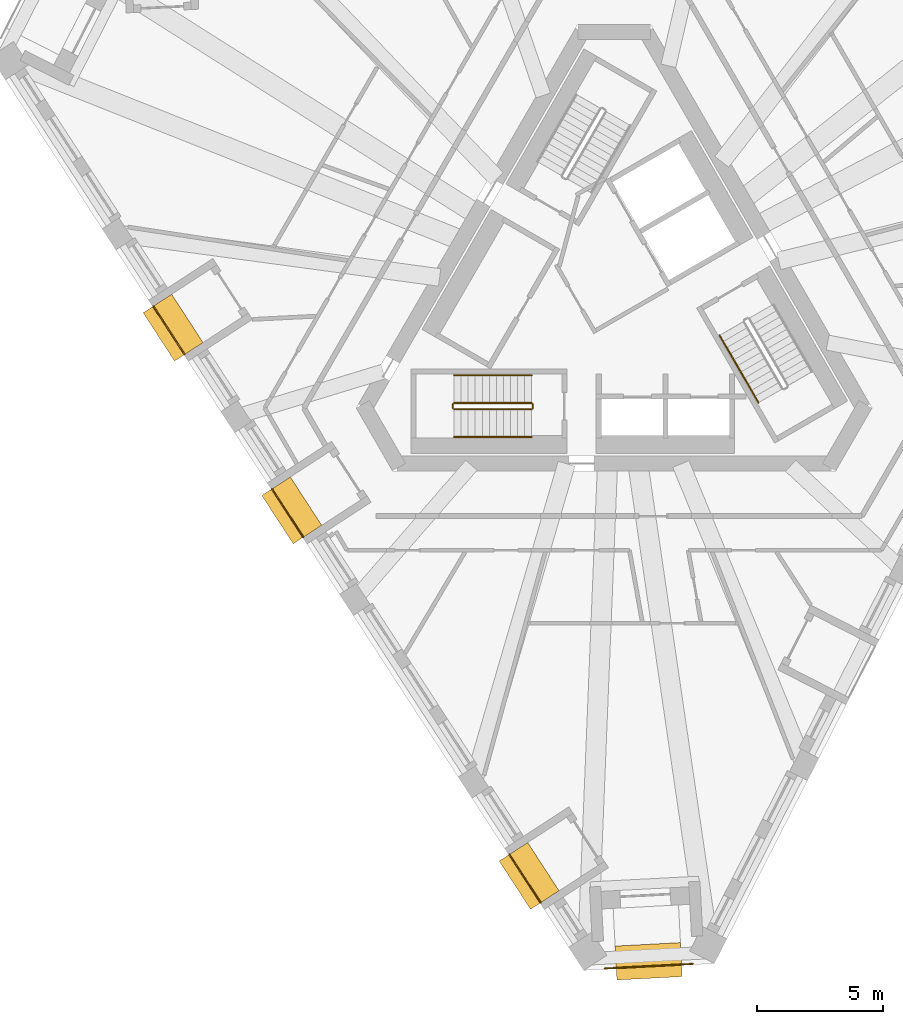
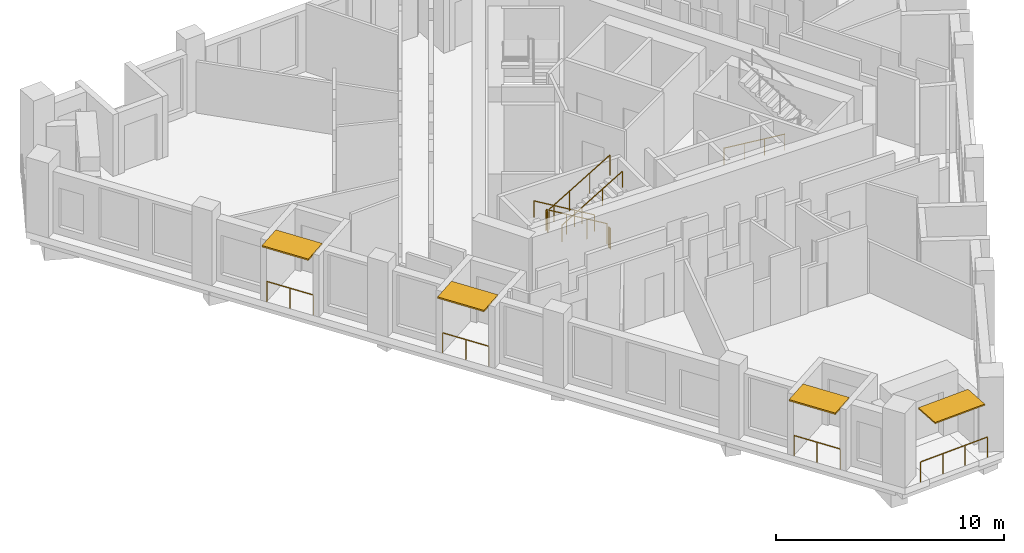
# One storey, part 9 of 12: 11 railings, 4 shading devices.
"""IFC4 building model written with IfcOpenShell, lengths in metres."""

from ifc_helpers import new_model, si_unit, direction, frame, origin, origin_2d, place, context, subcontext, project, spatial, rectangle, circle, extrude, material, layer, layer_set, type_object, element, save


model = new_model("IFC4")

# Units and contexts
model_context = context("Model", 3, precision=1e-05, world=origin(), true_north=direction((0.0, 1.0)))
body_context = subcontext(model_context, "Body", "Model", "MODEL_VIEW")
ifc_project = project(units=[si_unit("LENGTHUNIT", "METRE"), si_unit("AREAUNIT", "SQUARE_METRE"), si_unit("VOLUMEUNIT", "CUBIC_METRE"), si_unit("PLANEANGLEUNIT", "RADIAN"), si_unit("MASSUNIT", "GRAM", prefix="KILO")], contexts=[model_context])

# Site, building, storey
site_placement = place(None, origin())
site = spatial("IfcSite", under=ifc_project, at=site_placement, CompositionType="ELEMENT")
building_placement = place(site_placement, origin())
building = spatial("IfcBuilding", under=site, at=building_placement, Name="Tramontana Tower", CompositionType="ELEMENT")
storey_placement = place(building_placement, frame((0.0, 0.0, 282.39990234375)))
storey = spatial("IfcBuildingStorey", under=building, at=storey_placement, Name="L66", CompositionType="ELEMENT", Elevation=282.39990234375)

# Railings
ifc_material_1 = material(Name="Laminated glass balustrade", Category="glass")
railing_type_1 = type_object("IfcRailingType", Name="GD1 Loggia glass balustrade 1100", PredefinedType="BALUSTRADE", material=ifc_material_1)
railing_1_placement = place(storey_placement, frame((-18.313720703125, -0.20361328125, 0.0)))
element("IfcRailing", 1, at=railing_1_placement, inside=storey, type_object=railing_type_1, Name="Loggia balustrade L66 G7S0.4", PredefinedType="BALUSTRADE", context=body_context, shape_type="SweptSolid", body=[
    extrude(circle(Radius=0.02392578125, at=origin_2d()), frame((0.0, 0.0, 1.076171875), z_axis=(0.544706869801, -0.83862651162, 0.0), x_axis=(0.83862651162, 0.544706869801, 0.0)), (0.0, 0.0, 1.0), 2.286865234375),
    extrude(circle(Radius=0.02099609375, at=origin_2d()), origin(), (0.0, 0.0, 1.0), 1.052001953125),
    extrude(circle(Radius=0.02099609375, at=origin_2d()), frame((0.622802734375, -0.958984375, 0.0)), (0.0, 0.0, 1.0), 1.052001953125),
    extrude(circle(Radius=0.02099609375, at=origin_2d()), frame((1.24560546875, -1.917724609375, 0.0)), (0.0, 0.0, 1.0), 1.052001953125),
])
railing_2_placement = place(storey_placement, frame((-13.596923828125, -7.466552734375, 0.0)))
element("IfcRailing", 2, at=railing_2_placement, inside=storey, type_object=railing_type_1, Name="Loggia balustrade L66 G7S0.7", PredefinedType="BALUSTRADE", context=body_context, shape_type="SweptSolid", body=[
    extrude(circle(Radius=0.02392578125, at=origin_2d()), frame((0.0, 0.0, 1.076171875), z_axis=(0.544583011522, -0.838706947367, 0.0), x_axis=(0.838706947367, 0.544583011522, 0.0)), (0.0, 0.0, 1.0), 2.286865234375),
    extrude(circle(Radius=0.02099609375, at=origin_2d()), origin(), (0.0, 0.0, 1.0), 1.052001953125),
    extrude(circle(Radius=0.02099609375, at=origin_2d()), frame((0.62255859375, -0.958984375, 0.0)), (0.0, 0.0, 1.0), 1.052001953125),
    extrude(circle(Radius=0.02099609375, at=origin_2d()), frame((1.245361328125, -1.91796875, 0.0)), (0.0, 0.0, 1.0), 1.052001953125),
])
railing_3_placement = place(storey_placement, frame((-4.16357421875, -21.992919921875, 0.0)))
element("IfcRailing", 3, at=railing_3_placement, inside=storey, type_object=railing_type_1, Name="Loggia balustrade L66 G7S0.13", PredefinedType="BALUSTRADE", context=body_context, shape_type="SweptSolid", body=[
    extrude(circle(Radius=0.02392578125, at=origin_2d()), frame((0.0, 0.0, 1.076171875), z_axis=(0.544706869801, -0.83862651162, 0.0), x_axis=(0.83862651162, 0.544706869801, 0.0)), (0.0, 0.0, 1.0), 2.286865234375),
    extrude(circle(Radius=0.02099609375, at=origin_2d()), origin(), (0.0, 0.0, 1.0), 1.052001953125),
    extrude(circle(Radius=0.02099609375, at=origin_2d()), frame((0.622802734375, -0.958984375, 0.0)), (0.0, 0.0, 1.0), 1.052001953125),
    extrude(circle(Radius=0.02099609375, at=origin_2d()), frame((1.24560546875, -1.917724609375, 0.0)), (0.0, 0.0, 1.0), 1.052001953125),
])
railing_4_placement = place(storey_placement, frame((3.1328125, -26.342041015625, 0.0)))
element("IfcRailing", 4, at=railing_4_placement, inside=storey, type_object=railing_type_1, Name="Corner loggia balustrade L66 K71", PredefinedType="BALUSTRADE", context=body_context, shape_type="SweptSolid", body=[
    extrude(circle(Radius=0.02392578125, at=origin_2d()), frame((0.0, 0.0, 1.076171875), z_axis=(-0.998626871225, -0.0523867547, 0.0), x_axis=(0.0523867547, -0.998626871225, 0.0)), (0.0, 0.0, 1.0), 3.5),
    extrude(circle(Radius=0.02099609375, at=origin_2d()), origin(), (0.0, 0.0, 1.0), 1.052001953125),
    extrude(circle(Radius=0.02099609375, at=origin_2d()), frame((-1.1650390625, -0.06103515625, 0.0)), (0.0, 0.0, 1.0), 1.052001953125),
    extrude(circle(Radius=0.02099609375, at=origin_2d()), frame((-2.330078125, -0.122314453125, 0.0)), (0.0, 0.0, 1.0), 1.052001953125),
    extrude(circle(Radius=0.02099609375, at=origin_2d()), frame((-3.4951171875, -0.183349609375, 0.0)), (0.0, 0.0, 1.0), 1.052001953125),
])

# Shading devices
ifc_material_2 = material(Name="Precast concrete 60 MPa", Category="concrete")
ifc_layer_1 = layer(ifc_material_2, 0.070068359375)
ifc_layer_set_1 = layer_set([ifc_layer_1], Name="SS2 Stone sunshade blade 70")
shading_device_type_1 = type_object("IfcShadingDeviceType", Name="SS2 Stone sunshade blade 70", PredefinedType="USERDEFINED", material=ifc_layer_set_1)
shading_device_placement = place(storey_placement, frame((1.375244140625, -26.239013671875, 3.22998046875), z_axis=(0.0, 0.0, 1.0), x_axis=(-0.998629534755, -0.052335956243, 0.0)))
element("IfcShadingDevice", 5, at=shading_device_placement, inside=storey, type_object=shading_device_type_1, Name="Corner sunshade L66 K71", ObjectType="SUNSHADE", PredefinedType="USERDEFINED", context=body_context, shape_type="SweptSolid", body=[
    extrude(rectangle(XDim=2.60009765625, YDim=1.35009765625, at=origin_2d()), origin(), (0.0, 0.0, 1.0), 0.070068359375),
])
ifc_material_3 = material(Name="Precast concrete 60 MPa", Category="concrete")
ifc_layer_2 = layer(ifc_material_3, 0.080078125)
ifc_layer_set_2 = layer_set([ifc_layer_2], Name="SS3 Stone sunshade blade 80")
shading_device_type_2 = type_object("IfcShadingDeviceType", Name="SS3 Stone sunshade blade 80", PredefinedType="USERDEFINED", material=ifc_layer_set_2)
for number, where, z_axis, x_axis, name in (
    (6, (-17.52734375, -1.05615234375, 3.219970703125), (0.0, 0.0, 1.0), (0.544639035015, -0.838670567945, 0.0), "Sunshade L66 G7S0.4"),
    (7, (-12.810791015625, -8.3193359375, 3.219970703125), (0.0, 0.0, 1.0), (0.544639035015, -0.838670567945, 0.0), "Sunshade L66 G7S0.7"),
    (8, (-3.377197265625, -22.845458984375, 3.219970703125), (0.0, 0.0, 1.0), (0.544639035015, -0.838670567945, 0.0), "Sunshade L66 G7S0.13"),
):
    element("IfcShadingDevice", number, at=place(storey_placement, frame(where, z_axis=z_axis, x_axis=x_axis)), inside=storey, type_object=shading_device_type_2, Name=name, ObjectType="SUNSHADE", PredefinedType="USERDEFINED", context=body_context, shape_type="SweptSolid", body=[
        extrude(rectangle(XDim=2.286865234375, YDim=1.35009765625, at=origin_2d()), origin(), (0.0, 0.0, 1.0), 0.080078125),
    ])

# Railings
ifc_material_4 = material(Name="Painted steel", Category="steel")
railing_type_2 = type_object("IfcRailingType", Name="STAIR GUARD 1100", PredefinedType="GUARDRAIL", material=ifc_material_4)
railing_5_placement = place(storey_placement, frame((-3.280029296875, -4.050048828125, 0.166748046875)))
element("IfcRailing", 9, at=railing_5_placement, inside=storey, type_object=railing_type_2, Name="L66 ST2 stair guard 1", PredefinedType="GUARDRAIL", context=body_context, shape_type="SweptSolid", body=[
    extrude(circle(Radius=0.02392578125, at=origin_2d()), frame((0.0, 0.0, 1.076171875), z_axis=(-0.859308565015, 0.0, 0.511457515432), x_axis=(0.0, -1.0, 0.0)), (0.0, 0.0, 1.0), 3.58447265625),
    extrude(circle(Radius=0.02099609375, at=origin_2d()), origin(), (0.0, 0.0, 1.0), 1.052001953125),
    extrude(circle(Radius=0.02099609375, at=origin_2d()), frame((-1.026611328125, 0.0, 0.611083984375)), (0.0, 0.0, 1.0), 1.052001953125),
    extrude(circle(Radius=0.02099609375, at=origin_2d()), frame((-2.053466796875, 0.0, 1.22216796875)), (0.0, 0.0, 1.0), 1.052001953125),
    extrude(circle(Radius=0.02099609375, at=origin_2d()), frame((-3.080078125, 0.0, 1.833251953125)), (0.0, 0.0, 1.0), 1.052001953125),
])
railing_6_placement = place(storey_placement, frame((-6.360107421875, -4.300048828125, 2.166748046875)))
element("IfcRailing", 10, at=railing_6_placement, inside=storey, type_object=railing_type_2, Name="L66 ST2 stair guard 2", PredefinedType="GUARDRAIL", context=body_context, shape_type="SweptSolid", body=[
    extrude(circle(Radius=0.02392578125, at=origin_2d()), frame((0.0, 0.0, 1.076171875), z_axis=(0.859308565015, 0.0, 0.511457515432), x_axis=(0.0, 1.0, 0.0)), (0.0, 0.0, 1.0), 3.58447265625),
    extrude(circle(Radius=0.02099609375, at=origin_2d()), origin(), (0.0, 0.0, 1.0), 1.052001953125),
    extrude(circle(Radius=0.02099609375, at=origin_2d()), frame((1.026611328125, 0.0, 0.611083984375)), (0.0, 0.0, 1.0), 1.052001953125),
    extrude(circle(Radius=0.02099609375, at=origin_2d()), frame((2.053466796875, 0.0, 1.22216796875)), (0.0, 0.0, 1.0), 1.052001953125),
    extrude(circle(Radius=0.02099609375, at=origin_2d()), frame((3.080078125, 0.0, 1.833251953125)), (0.0, 0.0, 1.0), 1.052001953125),
])
for number, where, name in (
    (11, (-6.409912109375, -4.10009765625, 2.0), "L66 ST2 stair guard 3"),
    (12, (-3.22998046875, -4.10009765625, 0.0), "L66 ST2 stair guard 4"),
):
    element("IfcRailing", number, at=place(storey_placement, frame(where)), inside=storey, type_object=railing_type_2, Name=name, PredefinedType="GUARDRAIL", context=body_context, shape_type="SweptSolid", body=[
        extrude(circle(Radius=0.02392578125, at=origin_2d()), frame((0.0, 0.0, 1.076171875), z_axis=(0.0, -1.0, 0.0), x_axis=(1.0, 0.0, 0.0)), (0.0, 0.0, 1.0), 0.14990234375),
        extrude(circle(Radius=0.02099609375, at=origin_2d()), origin(), (0.0, 0.0, 1.0), 1.052001953125),
        extrude(circle(Radius=0.02099609375, at=origin_2d()), frame((0.0, -0.14990234375, 0.0)), (0.0, 0.0, 1.0), 1.052001953125),
    ])
ifc_material_5 = material(Name="Painted steel", Category="steel")
railing_type_3 = type_object("IfcRailingType", Name="STAIR HANDRAIL 900", PredefinedType="HANDRAIL", material=ifc_material_5)
railing_7_placement = place(storey_placement, frame((-3.280029296875, -2.949951171875, 0.166748046875)))
element("IfcRailing", 13, at=railing_7_placement, inside=storey, type_object=railing_type_3, Name="L66 ST2 stair handrail 1", PredefinedType="HANDRAIL", context=body_context, shape_type="SweptSolid", body=[
    extrude(circle(Radius=0.02392578125, at=origin_2d()), frame((0.0, 0.0, 0.8759765625), z_axis=(-0.859308565015, 0.0, 0.511457515432), x_axis=(0.0, -1.0, 0.0)), (0.0, 0.0, 1.0), 3.58447265625),
    extrude(circle(Radius=0.02099609375, at=origin_2d()), origin(), (0.0, 0.0, 1.0), 0.851806640625),
    extrude(circle(Radius=0.02099609375, at=origin_2d()), frame((-1.026611328125, 0.0, 0.611083984375)), (0.0, 0.0, 1.0), 0.851806640625),
    extrude(circle(Radius=0.02099609375, at=origin_2d()), frame((-2.053466796875, 0.0, 1.22216796875)), (0.0, 0.0, 1.0), 0.851806640625),
    extrude(circle(Radius=0.02099609375, at=origin_2d()), frame((-3.080078125, 0.0, 1.833251953125)), (0.0, 0.0, 1.0), 0.851806640625),
])
railing_8_placement = place(storey_placement, frame((-6.360107421875, -5.39990234375, 2.166748046875)))
element("IfcRailing", 14, at=railing_8_placement, inside=storey, type_object=railing_type_3, Name="L66 ST2 stair handrail 2", PredefinedType="HANDRAIL", context=body_context, shape_type="SweptSolid", body=[
    extrude(circle(Radius=0.02392578125, at=origin_2d()), frame((0.0, 0.0, 0.8759765625), z_axis=(0.859308565015, 0.0, 0.511457515432), x_axis=(0.0, 1.0, 0.0)), (0.0, 0.0, 1.0), 3.58447265625),
    extrude(circle(Radius=0.02099609375, at=origin_2d()), origin(), (0.0, 0.0, 1.0), 0.851806640625),
    extrude(circle(Radius=0.02099609375, at=origin_2d()), frame((1.026611328125, 0.0, 0.611083984375)), (0.0, 0.0, 1.0), 0.851806640625),
    extrude(circle(Radius=0.02099609375, at=origin_2d()), frame((2.053466796875, 0.0, 1.22216796875)), (0.0, 0.0, 1.0), 0.851806640625),
    extrude(circle(Radius=0.02099609375, at=origin_2d()), frame((3.080078125, 0.0, 1.833251953125)), (0.0, 0.0, 1.0), 0.851806640625),
])
railing_9_placement = place(storey_placement, frame((4.19482421875, -1.365478515625, 0.166748046875)))
element("IfcRailing", 15, at=railing_9_placement, inside=storey, type_object=railing_type_3, Name="L66 ST3 stair handrail 1", PredefinedType="HANDRAIL", context=body_context, shape_type="SweptSolid", body=[
    extrude(circle(Radius=0.02392578125, at=origin_2d()), frame((0.0, 0.0, 0.8759765625), z_axis=(0.429649414936, -0.744189839504, 0.511451721109), x_axis=(0.866029832698, 0.499992328818, 0.0)), (0.0, 0.0, 1.0), 3.58447265625),
    extrude(circle(Radius=0.02099609375, at=origin_2d()), origin(), (0.0, 0.0, 1.0), 0.851806640625),
    extrude(circle(Radius=0.02099609375, at=origin_2d()), frame((0.513427734375, -0.88916015625, 0.611083984375)), (0.0, 0.0, 1.0), 0.851806640625),
    extrude(circle(Radius=0.02099609375, at=origin_2d()), frame((1.026611328125, -1.7783203125, 1.22216796875)), (0.0, 0.0, 1.0), 0.851806640625),
    extrude(circle(Radius=0.02099609375, at=origin_2d()), frame((1.5400390625, -2.66748046875, 1.833251953125)), (0.0, 0.0, 1.0), 0.851806640625),
])

save(model, "model.ifc")
